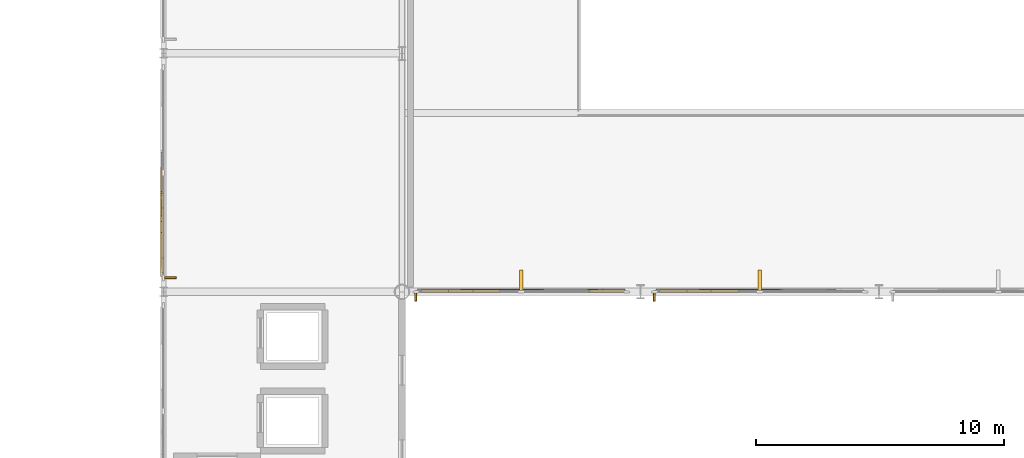
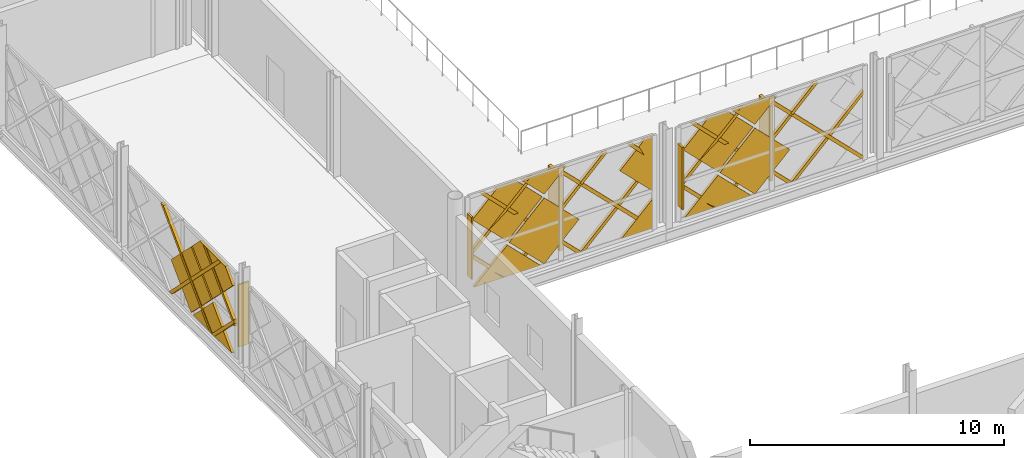
# One storey, part 63 of 77: 32 coverings, 3 shading devices.
"""IFC4 building model written with IfcOpenShell, lengths in metres."""

from ifc_helpers import new_model, si_unit, direction, frame, origin, origin_2d, place, context, subcontext, project, spatial, polyline, rectangle, outline, extrude, material, layer, layer_set, type_object, element, save


model = new_model("IFC4")

# Units and contexts
model_context = context("Model", 3, precision=1e-05, world=origin(), true_north=direction((0.0, 1.0)))
body_context = subcontext(model_context, "Body", "Model", "MODEL_VIEW")
ifc_project = project(units=[si_unit("LENGTHUNIT", "METRE"), si_unit("AREAUNIT", "SQUARE_METRE"), si_unit("VOLUMEUNIT", "CUBIC_METRE"), si_unit("PLANEANGLEUNIT", "RADIAN"), si_unit("MASSUNIT", "GRAM", prefix="KILO")], contexts=[model_context])

# Site, building, storey
site_placement = place(None, origin())
site = spatial("IfcSite", under=ifc_project, at=site_placement, CompositionType="ELEMENT")
building_placement = place(site_placement, origin())
building = spatial("IfcBuilding", under=site, at=building_placement, Name="Zevrakil Square Congress Hotel", CompositionType="ELEMENT")
storey_placement = place(building_placement, frame((0.0, 0.0, 9.89990234375)))
storey = spatial("IfcBuildingStorey", under=building, at=storey_placement, Name="L03", CompositionType="ELEMENT", Elevation=9.89990234375)

# Coverings
ifc_material_1 = material(Name="Architectural White Fibre-C GRC", Category="concrete")
ifc_layer_1 = layer(ifc_material_1, 0.06494140625)
ifc_layer_set_1 = layer_set([ifc_layer_1], Name="Architectural White Fibre-C GRC")
covering_type_1 = type_object("IfcCoveringType", Name="COV-DIA-WHITE", PredefinedType="CLADDING", material=ifc_layer_set_1)
covering_1_placement = place(storey_placement, frame((125.169921875, 64.89501953125, 0.080078125), z_axis=(0.0, 0.999999760125, 0.000692640526), x_axis=(1.0, 0.0, 0.0)))
element("IfcCovering", 1, at=covering_1_placement, inside=storey, type_object=covering_type_1, Name="L03 45-degree white GRC diamond facade cassette 1051", PredefinedType="CLADDING", context=body_context, shape_type="SweptSolid", body=[
    extrude(outline(polyline([(0.0, 0.0), (1.41015625, 0.0), (1.41015625, -1.4099124475784226), (0.0, 0.0)])), origin(), (0.0, 0.0, -1.0), 0.1201171875),
])
covering_2_placement = place(storey_placement, frame((119.9599609375, 64.89404296875, 1.590087890625), z_axis=(0.0, 0.999999790873, 0.000646725815), x_axis=(-0.707106707249, 0.000457304257, -0.707106707249)))
element("IfcCovering", 2, at=covering_2_placement, inside=storey, type_object=covering_type_1, Name="L03 45-degree white GRC diamond facade cassette 1052", PredefinedType="CLADDING", context=body_context, shape_type="SweptSolid", body=[
    extrude(outline(polyline([(0.0, 0.0), (2.1354765131557993, 0.0), (4.465861884739297e-07, -2.1354765131557527), (0.0, 0.0)])), origin(), (0.0, 0.0, -1.0), 0.1201171875),
])
covering_3_placement = place(storey_placement, frame((121.639892578125, 64.89306640625, 3.27001953125), z_axis=(0.0, 0.999999811377, 0.000614203339), x_axis=(-0.707106714488, 0.000434307387, -0.707106714509)))
element("IfcCovering", 3, at=covering_3_placement, inside=storey, type_object=covering_type_1, Name="L03 45-degree white GRC diamond facade cassette 1053", PredefinedType="CLADDING", context=body_context, shape_type="SweptSolid", body=[
    extrude(outline(polyline([(0.0, 0.0), (2.2483788053845455, -2.220446049250313e-16), (2.2485518630206376, -2.24855143882716), (-0.00017220931434658304, -2.2485514388922905), (0.0, 0.0)])), origin(), (0.0, 0.0, -1.0), 0.1201171875),
])
covering_4_placement = place(storey_placement, frame((125.090087890625, 64.89306640625, 3.360107421875), z_axis=(6.6590382e-05, 0.999999832132, 0.000575587748), x_axis=(0.707106739346, 0.000359915524, -0.707106731429)))
element("IfcCovering", 4, at=covering_4_placement, inside=storey, type_object=covering_type_1, Name="L03 45-degree white GRC diamond facade cassette 1054", PredefinedType="CLADDING", context=body_context, shape_type="SweptSolid", body=[
    extrude(outline(polyline([(0.0, 0.0), (2.1071645243864108, 4.440892098500626e-16), (0.2756954147132399, -1.8314688986077563), (-0.00017288838131890305, -1.5556005640896053), (0.0, 0.0)])), origin(), (0.0, 0.0, -1.0), 0.1201171875),
])
covering_5_placement = place(storey_placement, frame((118.3701171875, 64.89306640625, 3.360107421875), z_axis=(0.0, 0.99999984427, 0.000558085713), x_axis=(0.707052454844, 0.000394656509, -0.707160993229)))
element("IfcCovering", 5, at=covering_5_placement, inside=storey, type_object=covering_type_1, Name="L03 45-degree white GRC diamond facade cassette 1055", PredefinedType="CLADDING", context=body_context, shape_type="SweptSolid", body=[
    extrude(outline(polyline([(0.0, 0.0), (2.248551347367504, 0.0), (2.24837847274146, -2.2487239675782313), (0.692605284023527, -2.2486046114861047), (-0.00029231210577995714, -1.5556005419383874), (0.0, 0.0)])), origin(), (0.0, 0.0, -1.0), 0.1201171875),
])
covering_6_placement = place(storey_placement, frame((121.639892578125, 64.892822265625, 3.4501953125), z_axis=(0.0, 0.999999883142, 0.000483442051), x_axis=(0.707106739871, -0.000341845173, 0.707106739871)))
element("IfcCovering", 6, at=covering_6_placement, inside=storey, type_object=covering_type_1, Name="L03 45-degree white GRC diamond facade cassette 1056", PredefinedType="CLADDING", context=body_context, shape_type="SweptSolid", body=[
    extrude(outline(polyline([(0.0, 0.0), (1.4283695921344428, 0.0), (1.6691658821788025e-07, -1.4283695921344328), (0.0, 0.0)])), origin(), (0.0, 0.0, -1.0), 0.1201171875),
])
covering_7_placement = place(storey_placement, frame((129.56005859375, 64.89404296875, 1.590087890625), z_axis=(0.0, 0.999999790873, 0.000646725815), x_axis=(-0.707106707249, 0.000457304257, -0.707106707249)))
element("IfcCovering", 7, at=covering_7_placement, inside=storey, type_object=covering_type_1, Name="L03 45-degree white GRC diamond facade cassette 1077", PredefinedType="CLADDING", context=body_context, shape_type="SweptSolid", body=[
    extrude(outline(polyline([(0.0, 0.0), (2.1354765131557993, 0.0), (4.465861884739297e-07, -2.1354765131557527), (0.0, 0.0)])), origin(), (0.0, 0.0, -1.0), 0.1201171875),
])
covering_8_placement = place(storey_placement, frame((131.239990234375, 64.89306640625, 3.27001953125), z_axis=(0.0, 0.999999811377, 0.000614203339), x_axis=(-0.707161000837, 0.000434274042, -0.707052424012)))
element("IfcCovering", 8, at=covering_8_placement, inside=storey, type_object=covering_type_1, Name="L03 45-degree white GRC diamond facade cassette 1078", PredefinedType="CLADDING", context=body_context, shape_type="SweptSolid", body=[
    extrude(outline(polyline([(0.0, 0.0), (2.2485514454867683, 0.0), (2.2483792228863573, -2.248724065739994), (-0.0003448428211170196, -2.248551419043839), (0.0, 0.0)])), origin(), (0.0, 0.0, -1.0), 0.1201171875),
])
covering_9_placement = place(storey_placement, frame((127.969970703125, 64.89306640625, 3.360107421875), z_axis=(0.0, 0.99999984427, 0.000558085713), x_axis=(0.70710674536, 0.000394626212, -0.707106706896)))
element("IfcCovering", 9, at=covering_9_placement, inside=storey, type_object=covering_type_1, Name="L03 45-degree white GRC diamond facade cassette 1080", PredefinedType="CLADDING", context=body_context, shape_type="SweptSolid", body=[
    extrude(outline(polyline([(0.0, 0.0), (2.2487239742232523, 2.220446049250313e-16), (2.2485511128682028, -2.248551340722994), (0.6929505530546344, -2.248724063289557), (-2.4671910581197665e-07, -1.5557731932963055), (0.0, 0.0)])), origin(), (0.0, 0.0, -1.0), 0.1201171875),
])
covering_10_placement = place(storey_placement, frame((131.239990234375, 64.892822265625, 3.4501953125), z_axis=(0.0, 0.999999883142, 0.000483442051), x_axis=(0.707106739871, -0.000341845173, 0.707106739871)))
element("IfcCovering", 10, at=covering_10_placement, inside=storey, type_object=covering_type_1, Name="L03 45-degree white GRC diamond facade cassette 1081", PredefinedType="CLADDING", context=body_context, shape_type="SweptSolid", body=[
    extrude(outline(polyline([(0.0, 0.0), (1.4283695921344428, 0.0), (1.6691658821788025e-07, -1.4283695921344328), (0.0, 0.0)])), origin(), (0.0, 0.0, -1.0), 0.1201171875),
])
covering_11_placement = place(storey_placement, frame((107.906005859375, 67.159912109375, 1.590087890625), z_axis=(-0.999999790873, 0.0, 0.000646725815), x_axis=(-0.000457304257, -0.707106707249, -0.707106707249)))
element("IfcCovering", 11, at=covering_11_placement, inside=storey, type_object=covering_type_1, Name="L03 45-degree white GRC diamond facade cassette 1895", PredefinedType="CLADDING", context=body_context, shape_type="SweptSolid", body=[
    extrude(outline(polyline([(0.0, 0.0), (2.1354765131557993, 0.0), (4.465861884739297e-07, -2.1354765131557527), (0.0, 0.0)])), origin(), (0.0, 0.0, -1.0), 0.1201171875),
])
covering_12_placement = place(storey_placement, frame((107.906982421875, 68.840087890625, 3.27001953125), z_axis=(-0.999999811377, 0.0, 0.000614203339), x_axis=(-0.000434274042, -0.707161000837, -0.707052424012)))
element("IfcCovering", 12, at=covering_12_placement, inside=storey, type_object=covering_type_1, Name="L03 45-degree white GRC diamond facade cassette 1896", PredefinedType="CLADDING", context=body_context, shape_type="SweptSolid", body=[
    extrude(outline(polyline([(0.0, 0.0), (2.2485514454867683, 0.0), (2.2483792228863573, -2.248724065739994), (-0.0001721960923970478, -2.248378798790573), (0.0, 0.0)])), origin(), (0.0, 0.0, -1.0), 0.1201171875),
])
covering_13_placement = place(storey_placement, frame((107.906982421875, 65.570068359375, 3.360107421875), z_axis=(-0.999999757162, 0.0, 0.000696904836), x_axis=(-0.000492824013, 0.707052425202, -0.707160961268)))
element("IfcCovering", 13, at=covering_13_placement, inside=storey, type_object=covering_type_1, Name="L03 45-degree white GRC diamond facade cassette 1898", PredefinedType="CLADDING", context=body_context, shape_type="SweptSolid", body=[
    extrude(outline(polyline([(0.0, 0.0), (2.248551441637028, -2.220446049250313e-16), (2.2483783784791886, -2.248724061826017), (1.421118549468344, -2.2486606121765194), (-6.372999569886906e-05, -0.827259828989295), (0.0, 0.0)])), origin(), (0.0, 0.0, -1.0), 0.1201171875),
])
ifc_material_2 = material(Name="Anodised Champagne Aluminium", Category="aluminium")
ifc_layer_2 = layer(ifc_material_2, 0.0849609375)
ifc_layer_set_2 = layer_set([ifc_layer_2], Name="Anodised Champagne Aluminium")
covering_type_2 = type_object("IfcCoveringType", Name="COV-DIAGRID-45", PredefinedType="MOLDING", material=ifc_layer_set_2)
covering_14_placement = place(storey_placement, frame((126.580078125, 64.91796875, 3.35400390625), z_axis=(-0.00036616619, 0.999999865922, 0.00036616619), x_axis=(1.34078e-07, -0.000366166166, 0.999999932961)))
element("IfcCovering", 14, at=covering_14_placement, inside=storey, type_object=covering_type_2, Name="L03 45-degree aluminium diagrid rib 1057", PredefinedType="MOLDING", context=body_context, shape_type="SweptSolid", body=[
    extrude(outline(polyline([(0.0, 0.0), (0.21215818890215982, 5.6157808774107894e-24), (1.1062012460334505, -0.8940431770025326), (1.1062012175877691, -1.1062013659046903), (0.0, 0.0)])), origin(), (0.0, 0.0, -1.0), 0.14501953125),
])
covering_15_placement = place(storey_placement, frame((126.493896484375, 64.919921875, 0.080078125), z_axis=(-0.000183854233, 0.999999888676, 0.000434564551), x_axis=(0.999999983099, 0.000183854216, 7.9897e-08)))
element("IfcCovering", 15, at=covering_15_placement, inside=storey, type_object=covering_type_2, Name="L03 45-degree aluminium diagrid rib 1058", PredefinedType="MOLDING", context=body_context, shape_type="SweptSolid", body=[
    extrude(outline(polyline([(0.0, 0.0), (0.08618163916842775, 0.0), (0.08618164925302442, -0.12622069120683954), (-4.16772468272765, -4.380127706582967), (-4.379882882266924, -4.380127706582967), (0.0, 0.0)])), origin(), (0.0, 0.0, -1.0), 0.14501953125),
])
covering_16_placement = place(storey_placement, frame((123.1337890625, 64.919921875, 0.080078125), z_axis=(0.0, 0.999999812042, 0.00061312067), x_axis=(1.0, 0.0, 0.0)))
element("IfcCovering", 16, at=covering_16_placement, inside=storey, type_object=covering_type_2, Name="L03 45-degree aluminium diagrid rib 1059", PredefinedType="MOLDING", context=body_context, shape_type="SweptSolid", body=[
    extrude(outline(polyline([(0.0, 0.0), (0.21240234375, 0.0), (-4.167724609375, -4.380127776407226), (-4.3798828125, -4.380127776407226), (0.0, 0.0)])), origin(), (0.0, 0.0, -1.0), 0.14501953125),
])
covering_17_placement = place(storey_placement, frame((119.77392578125, 64.919921875, 0.080078125), z_axis=(-0.000294139249, 0.999999913482, 0.000294139249), x_axis=(0.999999956741, 0.000294139237, 8.6518e-08)))
element("IfcCovering", 17, at=covering_17_placement, inside=storey, type_object=covering_type_2, Name="L03 45-degree aluminium diagrid rib 1060", PredefinedType="MOLDING", context=body_context, shape_type="SweptSolid", body=[
    extrude(outline(polyline([(0.0, 0.0), (0.2121581939472589, 0.0), (-1.553955145347468, -1.7661134920951609), (-1.5539551637029505, -1.5539552981479028), (0.0, 0.0)])), origin(), (0.0, 0.0, -1.0), 0.14501953125),
])
covering_18_placement = place(storey_placement, frame((126.580078125, 64.918212890625, 3.154052734375), z_axis=(-0.000287477056, 0.99999958606, 0.000863270454), x_axis=(-8.2643e-08, -0.000863270513, 0.999999627382)))
element("IfcCovering", 18, at=covering_18_placement, inside=storey, type_object=covering_type_2, Name="L03 45-degree aluminium diagrid rib 1061", PredefinedType="MOLDING", context=body_context, shape_type="SweptSolid", body=[
    extrude(outline(polyline([(0.0, 0.0), (0.21215833483042407, 1.3234889800848443e-23), (-3.0739746676964605, -3.286133202330571), (-3.073974685229852, -3.0739750079722734), (0.0, 0.0)])), origin(), (0.0, 0.0, -1.0), 0.14501953125),
])
covering_19_placement = place(storey_placement, frame((124.526123046875, 64.917236328125, 4.460205078125), z_axis=(0.0, 0.999999812042, 0.00061312067), x_axis=(-1.0, 0.0, 0.0)))
element("IfcCovering", 19, at=covering_19_placement, inside=storey, type_object=covering_type_2, Name="L03 45-degree aluminium diagrid rib 1062", PredefinedType="MOLDING", context=body_context, shape_type="SweptSolid", body=[
    extrude(outline(polyline([(0.0, 0.0), (0.212158203125, 0.0), (4.59228515625, -4.380127776407226), (4.380126953125, -4.380127776407226), (0.0, 0.0)])), origin(), (0.0, 0.0, -1.0), 0.14501953125),
])
covering_20_placement = place(storey_placement, frame((121.166015625, 64.917236328125, 4.460205078125), z_axis=(-0.000252504271, 0.999999565627, 0.000897210752), x_axis=(-0.999999968121, -0.000252504169, -2.2655e-07)))
element("IfcCovering", 20, at=covering_20_placement, inside=storey, type_object=covering_type_2, Name="L03 45-degree aluminium diagrid rib 1063", PredefinedType="MOLDING", context=body_context, shape_type="SweptSolid", body=[
    extrude(outline(polyline([(0.0, 0.0), (0.21215819636156538, -5.6157808774107894e-24), (2.94604501579257, -2.7338871516970973), (2.9460450022657008, -2.946289629002098), (0.0, 0.0)])), origin(), (0.0, 0.0, -1.0), 0.14501953125),
])
covering_21_placement = place(storey_placement, frame((136.093994140625, 64.919921875, 0.080078125), z_axis=(-0.000183960933, 0.999999888701, 0.000434460926), x_axis=(0.999999983079, 0.000183960915, 7.9924e-08)))
element("IfcCovering", 21, at=covering_21_placement, inside=storey, type_object=covering_type_2, Name="L03 45-degree aluminium diagrid rib 1083", PredefinedType="MOLDING", context=body_context, shape_type="SweptSolid", body=[
    extrude(outline(polyline([(0.0, 0.0), (0.08593749854586766, 1.137373342260413e-24), (0.08593750863391077, -0.12622069121252277), (-4.167968823433683, -4.380127706501899), (-4.380127022968794, -4.380127706501899), (0.0, 0.0)])), origin(), (0.0, 0.0, -1.0), 0.14501953125),
])
covering_22_placement = place(storey_placement, frame((132.73388671875, 64.919921875, 0.080078125), z_axis=(0.0, 0.999999812042, 0.00061312067), x_axis=(1.0, 0.0, 0.0)))
element("IfcCovering", 22, at=covering_22_placement, inside=storey, type_object=covering_type_2, Name="L03 45-degree aluminium diagrid rib 1084", PredefinedType="MOLDING", context=body_context, shape_type="SweptSolid", body=[
    extrude(outline(polyline([(0.0, 0.0), (0.212158203125, 0.0), (-4.167724609375, -4.380127776407226), (-4.3798828125, -4.380127776407226), (0.0, 0.0)])), origin(), (0.0, 0.0, -1.0), 0.14501953125),
])
covering_23_placement = place(storey_placement, frame((129.373779296875, 64.919921875, 0.080078125), z_axis=(-0.000293980909, 0.999999913476, 0.000294319207), x_axis=(0.999999956788, 0.000293980897, 8.6524e-08)))
element("IfcCovering", 23, at=covering_23_placement, inside=storey, type_object=covering_type_2, Name="L03 45-degree aluminium diagrid rib 1085", PredefinedType="MOLDING", context=body_context, shape_type="SweptSolid", body=[
    extrude(outline(polyline([(0.0, 0.0), (0.21240233457158741, 0.0), (-1.5537110046395635, -1.7661134921773871), (-1.553711022996389, -1.5539552982413625), (0.0, 0.0)])), origin(), (0.0, 0.0, -1.0), 0.14501953125),
])
covering_24_placement = place(storey_placement, frame((136.179931640625, 64.918212890625, 3.154052734375), z_axis=(-0.000287317256, 0.999999586254, 0.000863099624), x_axis=(-8.2646e-08, -0.000863099684, 0.999999627529)))
element("IfcCovering", 24, at=covering_24_placement, inside=storey, type_object=covering_type_2, Name="L03 45-degree aluminium diagrid rib 1086", PredefinedType="MOLDING", context=body_context, shape_type="SweptSolid", body=[
    extrude(outline(polyline([(0.0, 0.0), (0.212158334820002, 0.0), (-3.0739746678474664, -3.286133202189314), (-3.0739746854017027, -3.07373086720635), (0.0, 0.0)])), origin(), (0.0, 0.0, -1.0), 0.14501953125),
])
covering_25_placement = place(storey_placement, frame((134.126220703125, 64.917236328125, 4.460205078125), z_axis=(0.0, 0.999999812042, 0.00061312067), x_axis=(-1.0, 0.0, 0.0)))
element("IfcCovering", 25, at=covering_25_placement, inside=storey, type_object=covering_type_2, Name="L03 45-degree aluminium diagrid rib 1087", PredefinedType="MOLDING", context=body_context, shape_type="SweptSolid", body=[
    extrude(outline(polyline([(0.0, 0.0), (0.21240234375, 0.0), (4.59228515625, -4.380127776407226), (4.380126953125, -4.380127776407226), (0.0, 0.0)])), origin(), (0.0, 0.0, -1.0), 0.14501953125),
])
covering_26_placement = place(storey_placement, frame((130.76611328125, 64.917236328125, 4.460205078125), z_axis=(-0.000252504271, 0.999999565627, 0.000897210752), x_axis=(-0.999999968121, -0.000252504169, -2.2655e-07)))
element("IfcCovering", 26, at=covering_26_placement, inside=storey, type_object=covering_type_2, Name="L03 45-degree aluminium diagrid rib 1088", PredefinedType="MOLDING", context=body_context, shape_type="SweptSolid", body=[
    extrude(outline(polyline([(0.0, 0.0), (0.21215819636156538, -5.6157808774107894e-24), (2.94604501579257, -2.7338871516970973), (2.9460450022657008, -2.946289629002098), (0.0, 0.0)])), origin(), (0.0, 0.0, -1.0), 0.14501953125),
])
covering_27_placement = place(storey_placement, frame((107.8798828125, 70.333984375, 0.080078125), z_axis=(-0.999999800495, 0.0, 0.00063167191), x_axis=(0.0, 1.0, 0.0)))
element("IfcCovering", 27, at=covering_27_placement, inside=storey, type_object=covering_type_2, Name="L03 45-degree aluminium diagrid rib 1900", PredefinedType="MOLDING", context=body_context, shape_type="SweptSolid", body=[
    extrude(outline(polyline([(0.0, 0.0), (0.212158203125, 0.0), (-3.65283203125, -3.8649910054589514), (-3.864990234375, -3.8649910054589514), (0.0, 0.0)])), origin(), (0.0, 0.0, -1.0), 0.14501953125),
])
covering_28_placement = place(storey_placement, frame((107.8798828125, 66.973876953125, 0.080078125), z_axis=(-0.999999864816, -0.000367674044, 0.000367674044), x_axis=(-0.000367674019, 0.999999932408, 1.35184e-07)))
element("IfcCovering", 28, at=covering_28_placement, inside=storey, type_object=covering_type_2, Name="L03 45-degree aluminium diagrid rib 1901", PredefinedType="MOLDING", context=body_context, shape_type="SweptSolid", body=[
    extrude(outline(polyline([(0.0, 0.0), (0.21215818878478077, 0.0), (-1.5539551831600997, -1.766113610695557), (-1.553955211840539, -1.553955421910778), (0.0, 0.0)])), origin(), (0.0, 0.0, -1.0), 0.14501953125),
])
covering_29_placement = place(storey_placement, frame((107.88232421875, 71.211181640625, 3.945068359375), z_axis=(-0.999999800495, 0.0, 0.00063167191), x_axis=(0.0, -1.0, 0.0)))
element("IfcCovering", 29, at=covering_29_placement, inside=storey, type_object=covering_type_2, Name="L03 45-degree aluminium diagrid rib 1903", PredefinedType="MOLDING", context=body_context, shape_type="SweptSolid", body=[
    extrude(outline(polyline([(0.0, 0.0), (0.21240234375, 0.0), (4.077392578125, -3.864991005458952), (3.864990234375, -3.864991005458952), (0.0, 0.0)])), origin(), (0.0, 0.0, -1.0), 0.14501953125),
])
covering_30_placement = place(storey_placement, frame((107.88232421875, 67.85107421875, 3.945068359375), z_axis=(-0.999999586122, -0.000286094891, 0.000863658765), x_axis=(0.000286094785, -0.999999959075, -2.47088e-07)))
element("IfcCovering", 30, at=covering_30_placement, inside=storey, type_object=covering_type_2, Name="L03 45-degree aluminium diagrid rib 1904", PredefinedType="MOLDING", context=body_context, shape_type="SweptSolid", body=[
    extrude(outline(polyline([(0.0, 0.0), (0.21215819444239495, 0.0), (2.4311524432452645, -2.218750226780793), (2.431152425880054, -2.4311527021688306), (0.0, 0.0)])), origin(), (0.0, 0.0, -1.0), 0.14501953125),
])
ifc_material_3 = material(Name="Architectural White Fibre-C GRC", Category="concrete")
ifc_layer_3 = layer(ifc_material_3, 0.139892578125)
ifc_layer_set_3 = layer_set([ifc_layer_3], Name="Architectural White Fibre-C GRC")
covering_type_3 = type_object("IfcCoveringType", Name="COV-FIN-GRC90", PredefinedType="MOLDING", material=ifc_layer_set_3)
for number, where, z_axis, x_axis, name in (
    (31, (122.39990234375, 65.219970703125, 0.469970703125), (0.0, 0.0, 1.0), (0.0, 1.0, 0.0), "L03 highland sun-breaker GRC fin 1064"),
    (32, (132.0, 65.219970703125, 0.469970703125), (0.0, 0.0, 1.0), (0.0, 1.0, 0.0), "L03 highland sun-breaker GRC fin 1089"),
):
    element("IfcCovering", number, at=place(storey_placement, frame(where, z_axis=z_axis, x_axis=x_axis)), inside=storey, type_object=covering_type_3, Name=name, PredefinedType="MOLDING", context=body_context, shape_type="SweptSolid", body=[
        extrude(rectangle(XDim=0.89990234375, YDim=0.139892578125, at=origin_2d()), origin(), (0.0, 0.0, 1.0), 3.60009765625),
    ])

# Shading devices
ifc_material_4 = material(Name="Aluminium Anodised Bronze", Category="aluminium")
shading_device_type_1 = type_object("IfcShadingDeviceType", Name="SHD-FIN-35", PredefinedType="JALOUSIE", material=ifc_material_4)
for number, where, z_axis, x_axis, name in (
    (33, (118.159912109375, 64.60498046875, 0.77001953125), (0.0, 0.0, 1.0), (0.0, -1.0, 0.0), "L03 aluminium solar shading fin 59"),
    (34, (127.760009765625, 64.60498046875, 0.77001953125), (0.0, 0.0, 1.0), (0.0, -1.0, 0.0), "L03 aluminium solar shading fin 61"),
):
    element("IfcShadingDevice", number, at=place(storey_placement, frame(where, z_axis=z_axis, x_axis=x_axis)), inside=storey, type_object=shading_device_type_1, Name=name, PredefinedType="JALOUSIE", context=body_context, shape_type="SweptSolid", body=[
        extrude(rectangle(XDim=0.35009765625, YDim=0.080078125, at=origin_2d()), origin(), (0.0, 0.0, 1.0), 3.0),
    ])
ifc_material_5 = material(Name="Aluminium Anodised Bronze", Category="aluminium")
shading_device_type_2 = type_object("IfcShadingDeviceType", Name="SHD-FIN-50", PredefinedType="JALOUSIE", material=ifc_material_5)
shading_device_placement = place(storey_placement, frame((108.27001953125, 65.360107421875, 0.5126953125), z_axis=(0.0, 0.0, 1.0), x_axis=(1.0, 0.0, 0.0)))
element("IfcShadingDevice", 35, at=shading_device_placement, inside=storey, type_object=shading_device_type_2, Name="L03 aluminium solar shading fin 105", PredefinedType="JALOUSIE", context=body_context, shape_type="SweptSolid", body=[
    extrude(rectangle(XDim=0.5, YDim=0.080078125, at=origin_2d()), origin(), (0.0, 0.0, 1.0), 3.0),
])

save(model, "model.ifc")
